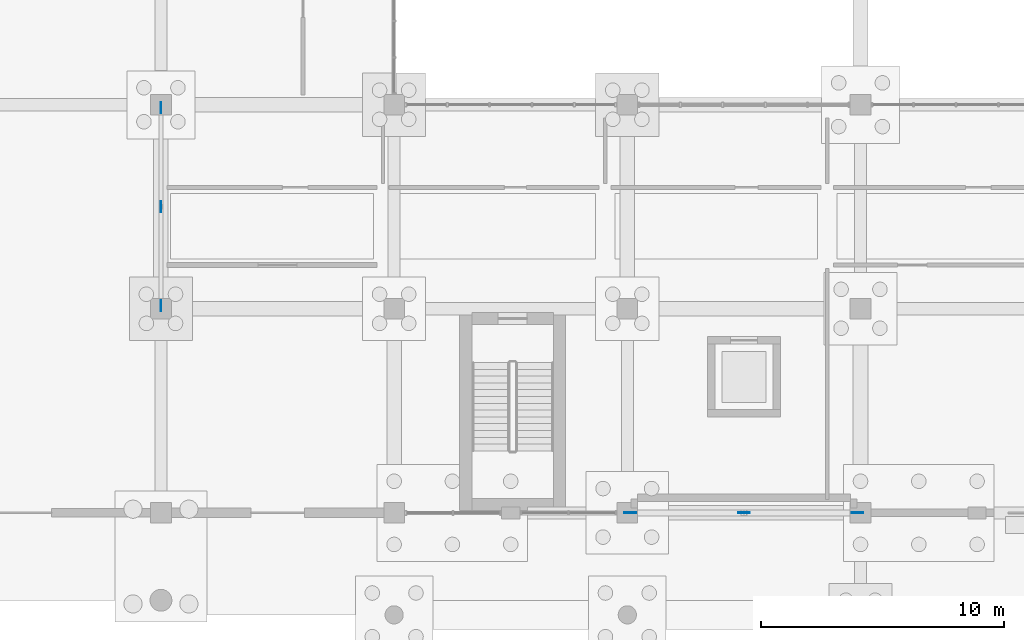
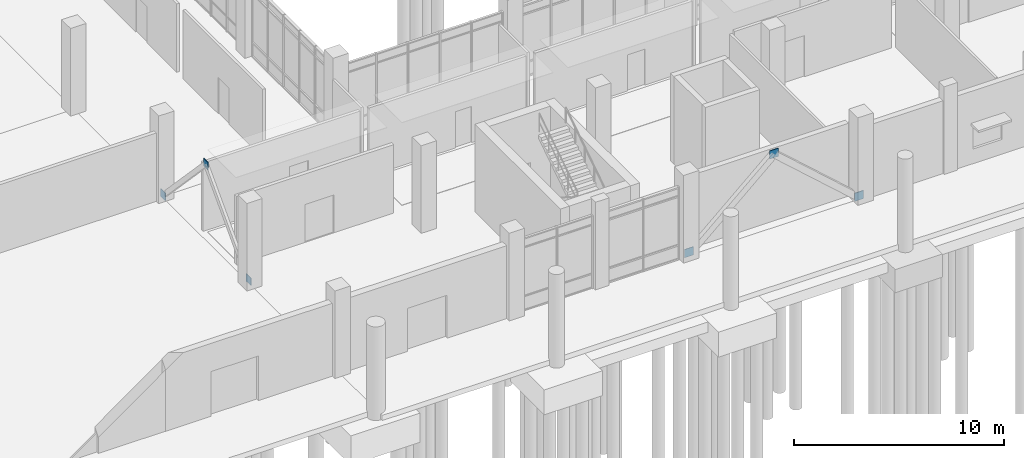
# One storey, part 98 of 136: 6 plates.
"""IFC4 building model written with IfcOpenShell, lengths in metres."""

import ifcopenshell
import ifcopenshell.guid

model = None  # the IFC model being written
_history = None  # IfcOwnerHistory: only IFC2X3 demands one
_inside = {}  # id of a spatial element -> (the spatial element, [elements in it])
_under = {}  # id of a project, library or spatial element -> (it, [spatial elements below it])
_declared = {}  # id of a project -> (the project, [libraries it declares])
_typed = {}  # id of a type object -> (the type object, [elements of that type])
_made_of = {}  # id of a material, layer set ... -> (it, [elements and type objects made of it])


def new_model(schema):
    """Start an empty IFC model of exactly this schema.

    Asked for "IFC4X3", IfcOpenShell would pick the latest addendum, in which some entities
    have other attributes; the version numbers below select the first issue.
    IFC2X3 requires an IfcOwnerHistory on every rooted entity: one is made here for all.
    """
    global model, _history
    if schema == "IFC4X3":
        model = ifcopenshell.file(schema_version=(4, 3, 0, 0))
    else:
        model = ifcopenshell.file(schema=schema)
    _inside.clear()
    _under.clear()
    _declared.clear()
    _typed.clear()
    _made_of.clear()
    _history = None
    if model.schema == "IFC2X3":
        org = make("IfcOrganization", Name="unknown")
        user = make(
            "IfcPersonAndOrganization",
            ThePerson=make("IfcPerson", FamilyName="unknown"),
            TheOrganization=org,
        )
        app = make(
            "IfcApplication",
            ApplicationDeveloper=org,
            Version="unknown",
            ApplicationFullName="unknown",
            ApplicationIdentifier="unknown",
        )
        _history = make(
            "IfcOwnerHistory",
            OwningUser=user,
            OwningApplication=app,
            ChangeAction="ADDED",
            CreationDate=0,
        )
    return model


def make(cls, **values):
    """One entity of the class cls with the attributes given. An attribute that is None is left unset."""
    return model.create_entity(
        cls, **{name: value for name, value in values.items() if value is not None}
    )


def rooted(cls, **values):
    """An entity with a GlobalId (a new one), such as an element, a storey or a relation."""
    return make(cls, GlobalId=ifcopenshell.guid.new(), OwnerHistory=_history, **values)


def si_unit(unit_type, name, prefix=None):
    """IfcSIUnit, for example si_unit("LENGTHUNIT", "METRE", prefix="MILLI")."""
    return make("IfcSIUnit", UnitType=unit_type, Prefix=prefix, Name=name)


def assignment(units):
    """IfcUnitAssignment: the units of a project."""
    return None if units is None else make("IfcUnitAssignment", Units=units)


def point(xyz):
    """IfcCartesianPoint."""
    return None if xyz is None else make("IfcCartesianPoint", Coordinates=xyz)


def direction(xyz):
    """IfcDirection."""
    return None if xyz is None else make("IfcDirection", DirectionRatios=xyz)


def frame(location, z_axis=None, x_axis=None):
    """IfcAxis2Placement3D, a coordinate frame: its origin and axes. An axis left out is left unset."""
    return make(
        "IfcAxis2Placement3D",
        Location=point(location),
        Axis=direction(z_axis),
        RefDirection=direction(x_axis),
    )


def frame_2d(location, x_axis=None):
    """IfcAxis2Placement2D, a coordinate frame in the plane: its origin and x axis."""
    return make(
        "IfcAxis2Placement2D", Location=point(location), RefDirection=direction(x_axis)
    )


def origin():
    """The frame at (0, 0, 0) with its axes left unset."""
    return frame((0.0, 0.0, 0.0))


def origin_2d():
    """The frame at (0, 0) in the plane with its x axis left unset."""
    return frame_2d((0.0, 0.0))


def place(relative_to, where):
    """IfcLocalPlacement: puts the frame where relative to a parent placement (None: the world)."""
    return make(
        "IfcLocalPlacement", PlacementRelTo=relative_to, RelativePlacement=where
    )


def context(
    kind, dimensions, precision=None, world=None, true_north=None, identifier=None
):
    """IfcGeometricRepresentationContext, for example the 3D "Model" context."""
    return make(
        "IfcGeometricRepresentationContext",
        ContextIdentifier=identifier,
        ContextType=kind,
        CoordinateSpaceDimension=dimensions,
        Precision=precision,
        WorldCoordinateSystem=world,
        TrueNorth=true_north,
    )


def subcontext(parent, identifier, kind, view, scale=None):
    """IfcGeometricRepresentationSubContext, for example "Body" below "Model"."""
    return make(
        "IfcGeometricRepresentationSubContext",
        ContextIdentifier=identifier,
        ContextType=kind,
        ParentContext=parent,
        TargetScale=scale,
        TargetView=view,
    )


def project(units=None, contexts=None):
    """IfcProject with its units and contexts."""
    return rooted(
        "IfcProject",
        Name="project",
        RepresentationContexts=contexts,
        UnitsInContext=assignment(units),
    )


def spatial(cls, under=None, at=None, **own):
    """A site, building, storey or space (cls), placed at a placement, below another one or the project."""
    s = rooted(cls, ObjectPlacement=at, **own)
    if under is not None:
        _under.setdefault(under.id(), (under, []))[1].append(s)
    return s


def profile(cls, at=None, kind="AREA", **sizes):
    """A parametric profile (cls). Its sizes go by their IFC names, for example OverallWidth=200.0."""
    return make(cls, ProfileType=kind, Position=at, **sizes)


def rectangle(**sizes):
    """IfcRectangleProfileDef."""
    return profile("IfcRectangleProfileDef", **sizes)


def extrude(swept, where, along, depth):
    """IfcExtrudedAreaSolid: the profile swept, set in the frame where, extruded along a direction by depth."""
    return make(
        "IfcExtrudedAreaSolid",
        SweptArea=swept,
        Position=where,
        ExtrudedDirection=direction(along),
        Depth=depth,
    )


def shape(context_of_items, identifier, shape_type, items):
    """IfcShapeRepresentation: the items that make up one representation, for example the "Body"."""
    return make(
        "IfcShapeRepresentation",
        ContextOfItems=context_of_items,
        RepresentationIdentifier=identifier,
        RepresentationType=shape_type,
        Items=items,
    )


def material(Name=None, Category=None):
    """IfcMaterial."""
    return make("IfcMaterial", Name=Name, Category=Category)


def layer(
    of_material, thickness, ventilated=None, Name=None, Category=None, Priority=None
):
    """IfcMaterialLayer: one layer of a wall or slab, of a material (None: an air gap)."""
    return make(
        "IfcMaterialLayer",
        Material=of_material,
        LayerThickness=thickness,
        IsVentilated=ventilated,
        Name=Name,
        Category=Category,
        Priority=Priority,
    )


def layer_set(layers, Name=None):
    """IfcMaterialLayerSet."""
    return make("IfcMaterialLayerSet", MaterialLayers=layers, LayerSetName=Name)


def made_of(thing, what):
    """Note that an element or type object is made of a material, layer set ...; save() writes the relation."""
    if what is not None:
        _made_of.setdefault(what.id(), (what, []))[1].append(thing)
    return thing


def type_object(cls, material=None, **own):
    """A type object (cls), such as IfcWallType, which elements share."""
    return made_of(rooted(cls, **own), material)


def element(
    cls,
    number,
    at=None,
    inside=None,
    cuts=None,
    type_object=None,
    material=None,
    context=None,
    identifier="Body",
    shape_type=None,
    held_by="IfcProductDefinitionShape",
    body=None,
    shapes=None,
    **own,
):
    """One element of the class cls, such as IfcWall. Its Tag is "e" and its number.

    at: its placement. inside: the storey or other place that contains it. cuts: it is an
    opening in that element (IfcRelVoidsElement). A single representation is given by context,
    identifier, shape_type and body (its items); several are given by shapes. held_by: the class
    of the entity that holds the representations. save() writes the other relations.
    """
    e = rooted(cls, Tag="e%d" % number, ObjectPlacement=at, **own)
    if body is not None:
        shapes = [shape(context, identifier, shape_type, body)]
    if shapes is not None:
        e.Representation = make(held_by, Representations=shapes)
    if inside is not None:
        _inside.setdefault(inside.id(), (inside, []))[1].append(e)
    if cuts is not None:
        rooted(
            "IfcRelVoidsElement", RelatingBuildingElement=cuts, RelatedOpeningElement=e
        )
    if type_object is not None:
        _typed.setdefault(type_object.id(), (type_object, []))[1].append(e)
    return made_of(e, material)


def aggregate(whole, parts):
    """IfcRelAggregates: a whole, such as a stair, and the parts it consists of."""
    return rooted("IfcRelAggregates", RelatingObject=whole, RelatedObjects=parts)


def save(model, path):
    """Write the relations noted so far, then the file.

    IfcRelAggregates (storeys below a building ...), IfcRelContainedInSpatialStructure (elements
    in a storey), IfcRelDefinesByType, IfcRelAssociatesMaterial and IfcRelDeclares: one each for
    every whole, place, type object, material and project.
    """
    for whole, parts in _under.values():
        aggregate(whole, parts)
    for where, things in _inside.values():
        rooted(
            "IfcRelContainedInSpatialStructure",
            RelatedElements=things,
            RelatingStructure=where,
        )
    for kind, things in _typed.values():
        rooted("IfcRelDefinesByType", RelatedObjects=things, RelatingType=kind)
    for what, things in _made_of.values():
        rooted("IfcRelAssociatesMaterial", RelatedObjects=things, RelatingMaterial=what)
    for by, libraries in _declared.values():
        rooted("IfcRelDeclares", RelatingContext=by, RelatedDefinitions=libraries)
    model.write(path)


model = new_model("IFC4")

# Units and contexts
model_context = context("Model", 3, precision=1e-05, world=origin(), true_north=direction((0.0, 1.0)))
body_context = subcontext(model_context, "Body", "Model", "MODEL_VIEW")
ifc_project = project(units=[si_unit("LENGTHUNIT", "METRE"), si_unit("AREAUNIT", "SQUARE_METRE"), si_unit("VOLUMEUNIT", "CUBIC_METRE"), si_unit("PLANEANGLEUNIT", "RADIAN"), si_unit("MASSUNIT", "GRAM", prefix="KILO")], contexts=[model_context])

# Site, building, storey
site_placement = place(None, origin())
site = spatial("IfcSite", under=ifc_project, at=site_placement, CompositionType="ELEMENT")
building_placement = place(site_placement, origin())
building = spatial("IfcBuilding", under=site, at=building_placement, Name="Oolite Switchyard Hospital", CompositionType="ELEMENT")
storey_placement = place(building_placement, origin())
storey = spatial("IfcBuildingStorey", under=building, at=storey_placement, Name="L00", CompositionType="ELEMENT", Elevation=0.0)

# Plates
ifc_material = material(Name="Steel ASTM A572 Grade 50", Category="steel")
ifc_layer_1 = layer(ifc_material, 0.030029296875)
ifc_layer_set_1 = layer_set([ifc_layer_1], Name="PLT-GUS-450")
plate_type_1 = type_object("IfcPlateType", Name="PLT-GUS-450", PredefinedType="SHEET", material=ifc_layer_set_1)
for number, where, z_axis, x_axis, name in (
    (1, (134.39990234375, 16.919921875, -0.02490234375), (0.0, 0.0, 1.0), (0.0, 1.0, 0.0), "L00 Brace Base Gusset Plate 136"),
    (2, (134.39990234375, 25.080078125, -0.02490234375), (0.0, 0.0, 1.0), (0.0, 1.0, 0.0), "L00 Brace Base Gusset Plate 137"),
    (3, (134.39990234375, 21.0, 4.22509765625), (0.0, 0.0, 1.0), (0.0, 1.0, 0.0), "L00 Gusset Connection Plate 138"),
):
    element("IfcPlate", number, at=place(storey_placement, frame(where, z_axis=z_axis, x_axis=x_axis)), inside=storey, type_object=plate_type_1, Name=name, PredefinedType="SHEET", context=body_context, shape_type="SweptSolid", body=[
        extrude(rectangle(XDim=0.449951171875, YDim=0.030029296875, at=origin_2d()), origin(), (0.0, 0.0, 1.0), 0.449951171875),
    ])
ifc_layer_2 = layer(ifc_material, 0.031982421875)
ifc_layer_set_2 = layer_set([ifc_layer_2], Name="PLT-GUS-480")
plate_type_2 = type_object("IfcPlateType", Name="PLT-GUS-480", PredefinedType="SHEET", material=ifc_layer_set_2)
for number, where, z_axis, x_axis, name in (
    (4, (153.719970703125, 8.39990234375, -0.0400390625), (0.0, 0.0, 1.0), (1.0, 0.0, 0.0), "L00 Brace Base Gusset Plate 91"),
    (5, (163.080078125, 8.39990234375, -0.0400390625), (0.0, 0.0, 1.0), (1.0, 0.0, 0.0), "L00 Brace Base Gusset Plate 92"),
    (6, (158.39990234375, 8.39990234375, 4.06005859375), (0.0, 0.0, 1.0), (1.0, 0.0, 0.0), "L00 Gusset Connection Plate 93"),
):
    element("IfcPlate", number, at=place(storey_placement, frame(where, z_axis=z_axis, x_axis=x_axis)), inside=storey, type_object=plate_type_2, Name=name, PredefinedType="SHEET", context=body_context, shape_type="SweptSolid", body=[
        extrude(rectangle(XDim=0.47998046875, YDim=0.031982421875, at=origin_2d()), origin(), (0.0, 0.0, 1.0), 0.47998046875),
    ])

save(model, "model.ifc")
